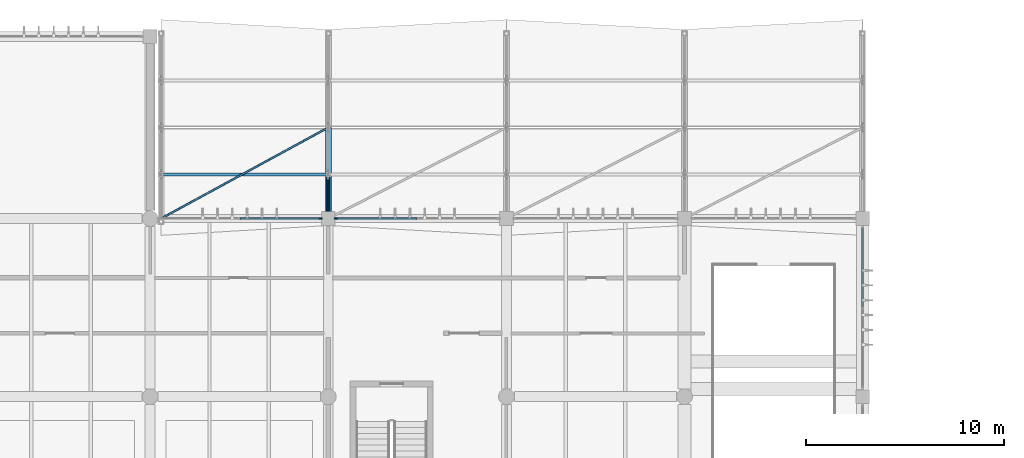
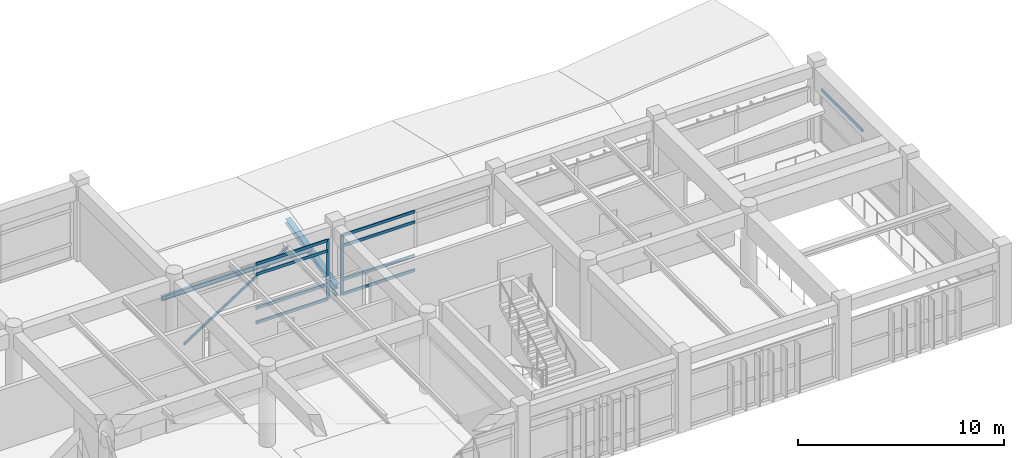
# One storey, part 18 of 90: 15 members, 3 elements without a shape of their own.
"""IFC4 building model written with IfcOpenShell, lengths in metres."""

from ifc_helpers import new_model, si_unit, direction, frame, origin, origin_2d, place, context, subcontext, project, spatial, rectangle, hollow_rectangle, hollow_circle, i_section, extrude, material, material_profile, profile_set, type_object, element, aggregate, save


model = new_model("IFC4")

# Units and contexts
model_context = context("Model", 3, precision=1e-05, world=origin(), true_north=direction((0.0, 1.0)))
body_context = subcontext(model_context, "Body", "Model", "MODEL_VIEW")
ifc_project = project(units=[si_unit("LENGTHUNIT", "METRE"), si_unit("AREAUNIT", "SQUARE_METRE"), si_unit("VOLUMEUNIT", "CUBIC_METRE"), si_unit("PLANEANGLEUNIT", "RADIAN"), si_unit("MASSUNIT", "GRAM", prefix="KILO")], contexts=[model_context])

# Site, building, storey
site_placement = place(None, origin())
site = spatial("IfcSite", under=ifc_project, at=site_placement, CompositionType="ELEMENT")
building_placement = place(site_placement, origin())
building = spatial("IfcBuilding", under=site, at=building_placement, Name="Bozkorgan Art Gallery", CompositionType="ELEMENT")
storey_placement = place(building_placement, frame((0.0, 0.0, 5.39990234375)))
storey = spatial("IfcBuildingStorey", under=building, at=storey_placement, Name="L01", CompositionType="ELEMENT", Elevation=5.39990234375)

# Curtain wall, member
ifc_material_1 = material(Name="Anodised Bronze Aluminium", Category="aluminium")
curtain_wall_type_1 = type_object("IfcCurtainWallType", Name="CW-CW-40", PredefinedType="NOTDEFINED", material=ifc_material_1)
curtain_wall_1_placement = place(storey_placement, origin())
curtain_wall_1 = element("IfcCurtainWall", 1, at=curtain_wall_1_placement, inside=storey, type_object=curtain_wall_type_1, Name="L01 unitised curtain wall CW-V1-L01-1N-05", PredefinedType="NOTDEFINED")
ifc_material_profile_1 = material_profile(ifc_material_1, rectangle(XDim=0.06494140625, YDim=0.179931640625, at=origin_2d()), Name="ALU MULLION 65x180")
ifc_profile_set_1 = profile_set([ifc_material_profile_1], Name="Anodised Bronze Aluminium")
member_type_1 = type_object("IfcMemberType", Name="CWM-01", PredefinedType="MULLION", material=ifc_profile_set_1)
member_1_placement = place(storey_placement, frame((37.6025390625, 20.0, 0.02001953125), z_axis=(0.0, 0.0, 1.0), x_axis=(0.0, 1.0, 0.0)))
member_1 = element("IfcMember", 2, at=member_1_placement, type_object=member_type_1, Name="CW-40 mullion 3", PredefinedType="MULLION", context=body_context, shape_type="SweptSolid", body=[
    extrude(rectangle(XDim=0.06494140625, YDim=0.179931640625, at=origin_2d()), origin(), (0.0, 0.0, 1.0), 3.55517578125),
])

curtain_wall_type_2 = type_object("IfcCurtainWallType", Name="CW-CW-42", PredefinedType="NOTDEFINED", material=ifc_material_1)
curtain_wall_2_placement = place(storey_placement, origin())
curtain_wall_2 = element("IfcCurtainWall", 3, at=curtain_wall_2_placement, inside=storey, type_object=curtain_wall_type_2, Name="L01 unitised curtain wall CW-V1-L01-1N-07", PredefinedType="NOTDEFINED")
member_2_placement = place(storey_placement, frame((38.3974609375, 20.0, 0.02001953125), z_axis=(0.0, 0.0, 1.0), x_axis=(0.0, 1.0, 0.0)))
member_2 = element("IfcMember", 4, at=member_2_placement, type_object=member_type_1, Name="CW-42 mullion 1", PredefinedType="MULLION", context=body_context, shape_type="SweptSolid", body=[
    extrude(rectangle(XDim=0.06494140625, YDim=0.179931640625, at=origin_2d()), origin(), (0.0, 0.0, 1.0), 3.55517578125),
])

# Member
ifc_material_profile_2 = material_profile(ifc_material_1, rectangle(XDim=0.074951171875, YDim=0.169921875, at=origin_2d()), Name="ALU TRANSOM 75x170")
ifc_profile_set_2 = profile_set([ifc_material_profile_2], Name="Anodised Bronze Aluminium")
member_type_2 = type_object("IfcMemberType", Name="CWT-02", PredefinedType="USERDEFINED", material=ifc_profile_set_2)
member_3_placement = place(storey_placement, frame((33.5576171875, 20.0, 0.0576171875), z_axis=(1.0, 0.0, 0.0), x_axis=(0.0, 1.0, 0.0)))
member_3 = element("IfcMember", 5, at=member_3_placement, type_object=member_type_2, Name="CW-40 transom 2.1", ObjectType="TRANSOM", PredefinedType="USERDEFINED", context=body_context, shape_type="SweptSolid", body=[
    extrude(rectangle(XDim=0.074951171875, YDim=0.169921875, at=origin_2d()), origin(), (0.0, 0.0, 1.0), 4.012451171875),
])

member_4_placement = place(storey_placement, frame((33.5576171875, 20.0, 0.920166015625), z_axis=(1.0, 0.0, 0.0), x_axis=(0.0, 1.0, 0.0)))
member_4 = element("IfcMember", 6, at=member_4_placement, type_object=member_type_2, Name="CW-40 transom 2.2", ObjectType="TRANSOM", PredefinedType="USERDEFINED", context=body_context, shape_type="SweptSolid", body=[
    extrude(rectangle(XDim=0.074951171875, YDim=0.169921875, at=origin_2d()), origin(), (0.0, 0.0, 1.0), 4.012451171875),
])

member_5_placement = place(storey_placement, frame((33.5576171875, 20.0, 2.925048828125), z_axis=(1.0, 0.0, 0.0), x_axis=(0.0, 1.0, 0.0)))
member_5 = element("IfcMember", 7, at=member_5_placement, type_object=member_type_2, Name="CW-40 transom 2.3", ObjectType="TRANSOM", PredefinedType="USERDEFINED", context=body_context, shape_type="SweptSolid", body=[
    extrude(rectangle(XDim=0.074951171875, YDim=0.169921875, at=origin_2d()), origin(), (0.0, 0.0, 1.0), 4.012451171875),
])

member_6_placement = place(storey_placement, frame((33.5576171875, 20.0, 3.53759765625), z_axis=(1.0, 0.0, 0.0), x_axis=(0.0, 1.0, 0.0)))
member_6 = element("IfcMember", 8, at=member_6_placement, type_object=member_type_2, Name="CW-40 transom 2.4", ObjectType="TRANSOM", PredefinedType="USERDEFINED", context=body_context, shape_type="SweptSolid", body=[
    extrude(rectangle(XDim=0.074951171875, YDim=0.169921875, at=origin_2d()), origin(), (0.0, 0.0, 1.0), 4.012451171875),
])

aggregate(curtain_wall_1, [member_1, member_3, member_4, member_5, member_6])

member_7_placement = place(storey_placement, frame((38.429931640625, 20.0, 0.0576171875), z_axis=(1.0, 0.0, 0.0), x_axis=(0.0, 1.0, 0.0)))
member_7 = element("IfcMember", 9, at=member_7_placement, type_object=member_type_2, Name="CW-42 transom 1.1", ObjectType="TRANSOM", PredefinedType="USERDEFINED", context=body_context, shape_type="SweptSolid", body=[
    extrude(rectangle(XDim=0.074951171875, YDim=0.169921875, at=origin_2d()), origin(), (0.0, 0.0, 1.0), 4.03759765625),
])

member_8_placement = place(storey_placement, frame((38.429931640625, 20.0, 0.920166015625), z_axis=(1.0, 0.0, 0.0), x_axis=(0.0, 1.0, 0.0)))
member_8 = element("IfcMember", 10, at=member_8_placement, type_object=member_type_2, Name="CW-42 transom 1.2", ObjectType="TRANSOM", PredefinedType="USERDEFINED", context=body_context, shape_type="SweptSolid", body=[
    extrude(rectangle(XDim=0.074951171875, YDim=0.169921875, at=origin_2d()), origin(), (0.0, 0.0, 1.0), 4.03759765625),
])

member_9_placement = place(storey_placement, frame((38.429931640625, 20.0, 2.925048828125), z_axis=(1.0, 0.0, 0.0), x_axis=(0.0, 1.0, 0.0)))
member_9 = element("IfcMember", 11, at=member_9_placement, type_object=member_type_2, Name="CW-42 transom 1.3", ObjectType="TRANSOM", PredefinedType="USERDEFINED", context=body_context, shape_type="SweptSolid", body=[
    extrude(rectangle(XDim=0.074951171875, YDim=0.169921875, at=origin_2d()), origin(), (0.0, 0.0, 1.0), 4.03759765625),
])

member_10_placement = place(storey_placement, frame((38.429931640625, 20.0, 3.53759765625), z_axis=(1.0, 0.0, 0.0), x_axis=(0.0, 1.0, 0.0)))
member_10 = element("IfcMember", 12, at=member_10_placement, type_object=member_type_2, Name="CW-42 transom 1.4", ObjectType="TRANSOM", PredefinedType="USERDEFINED", context=body_context, shape_type="SweptSolid", body=[
    extrude(rectangle(XDim=0.074951171875, YDim=0.169921875, at=origin_2d()), origin(), (0.0, 0.0, 1.0), 4.03759765625),
])

aggregate(curtain_wall_2, [member_2, member_7, member_8, member_9, member_10])

# Curtain wall, member
curtain_wall_type_3 = type_object("IfcCurtainWallType", Name="CW-CW-73", PredefinedType="NOTDEFINED", material=ifc_material_1)
curtain_wall_3_placement = place(storey_placement, origin())
curtain_wall_3 = element("IfcCurtainWall", 13, at=curtain_wall_3_placement, inside=storey, type_object=curtain_wall_type_3, Name="L01 unitised curtain wall CW-V1-L01-1E-15", PredefinedType="NOTDEFINED")
member_11_placement = place(storey_placement, frame((65.0, 15.532470703125, 3.1376953125), z_axis=(0.0, 1.0, 0.0), x_axis=(-1.0, 0.0, 0.0)))
member_11 = element("IfcMember", 14, at=member_11_placement, type_object=member_type_2, Name="CW-73 transom 2.3", ObjectType="TRANSOM", PredefinedType="USERDEFINED", context=body_context, shape_type="SweptSolid", body=[
    extrude(rectangle(XDim=0.074951171875, YDim=0.169921875, at=origin_2d()), origin(), (0.0, 0.0, 1.0), 3.987548828125),
])
aggregate(curtain_wall_3, [member_11])

# Members
ifc_material_2 = material(Name="Steel S355J2", Category="steel")
ifc_material_profile_3 = material_profile(ifc_material_2, i_section(OverallWidth=0.135009765625, OverallDepth=0.27001953125, WebThickness=0.006591796875, FlangeThickness=0.01025390625, FilletRadius=0.014892578125, at=origin_2d()), Name="IPE 270")
ifc_profile_set_3 = profile_set([ifc_material_profile_3], Name="Steel S355J2")
member_type_3 = type_object("IfcMemberType", Name="MEMBER-PR-57", PredefinedType="PURLIN", material=ifc_profile_set_3)
member_12_placement = place(storey_placement, frame((29.550048828125, 22.22509765625, 1.5517578125), z_axis=(1.0, 0.0, 0.0), x_axis=(0.0, 1.0, 0.0)))
element("IfcMember", 15, at=member_12_placement, inside=storey, type_object=member_type_3, Name="ROOF-V1-STEP1 roof purlin 1S", PredefinedType="PURLIN", context=body_context, shape_type="SweptSolid", body=[
    extrude(i_section(OverallWidth=0.135009765625, OverallDepth=0.27001953125, WebThickness=0.006591796875, FlangeThickness=0.01025390625, FilletRadius=0.014892578125, at=origin_2d()), origin(), (0.0, 0.0, 1.0), 8.449951171875),
])
ifc_material_profile_4 = material_profile(ifc_material_2, i_section(OverallWidth=0.300048828125, OverallDepth=0.31005859375, WebThickness=0.009033203125, FlangeThickness=0.015380859375, FilletRadius=0.027099609375, at=origin_2d()), Name="HEA 320")
ifc_profile_set_4 = profile_set([ifc_material_profile_4], Name="Steel S355J2")
member_type_4 = type_object("IfcMemberType", Name="MEMBER-TC-13", PredefinedType="CHORD", material=ifc_profile_set_4)
member_13_placement = place(storey_placement, frame((38.0, 19.85009765625, 0.71337890625), z_axis=(0.0, 0.974367556786, 0.224961917408), x_axis=(-1.0, 0.0, 0.0)))
element("IfcMember", 16, at=member_13_placement, inside=storey, type_object=member_type_4, Name="ROOF-V1-STEP1 roof truss 2 south top chord", PredefinedType="CHORD", context=body_context, shape_type="SweptSolid", body=[
    extrude(i_section(OverallWidth=0.300048828125, OverallDepth=0.31005859375, WebThickness=0.009033203125, FlangeThickness=0.015380859375, FilletRadius=0.027099609375, at=origin_2d()), origin(), (0.0, 0.0, 1.0), 4.875),
])
ifc_material_profile_5 = material_profile(ifc_material_2, hollow_circle(Radius=0.084228515625, WallThickness=0.008056640625, at=origin_2d()), Name="CHS 168.3x8")
ifc_profile_set_5 = profile_set([ifc_material_profile_5], Name="Steel S355J2")
member_type_5 = type_object("IfcMemberType", Name="MEMBER-TW-40", PredefinedType="BRACE", material=ifc_profile_set_5)
member_14_placement = place(storey_placement, frame((38.0, 19.85009765625, 0.2001953125), z_axis=(0.0, 0.912958131658, 0.408053243878), x_axis=(-1.0, 0.0, 0.0)))
element("IfcMember", 17, at=member_14_placement, inside=storey, type_object=member_type_5, Name="ROOF-V1-STEP1 roof truss 2 diagonal 1", PredefinedType="BRACE", context=body_context, shape_type="SweptSolid", body=[
    extrude(hollow_circle(Radius=0.084228515625, WallThickness=0.008056640625, at=origin_2d()), origin(), (0.0, 0.0, 1.0), 2.601318359375),
])
ifc_material_profile_6 = material_profile(ifc_material_2, hollow_rectangle(XDim=0.10009765625, YDim=0.14990234375, WallThickness=0.008056640625, InnerFilletRadius=0.011962890625, OuterFilletRadius=0.02001953125, at=origin_2d()), Name="RHS 150x100x8")
ifc_profile_set_6 = profile_set([ifc_material_profile_6], Name="Steel S355J2")
member_type_6 = type_object("IfcMemberType", Name="MEMBER-WB-10", PredefinedType="BRACE", material=ifc_profile_set_6)
member_15_placement = place(storey_placement, frame((29.550048828125, 20.0, 0.2001953125), z_axis=(0.878287070835, 0.478133685495, 0.0), x_axis=(-0.478133685495, 0.878287070835, 0.0)))
element("IfcMember", 18, at=member_15_placement, inside=storey, type_object=member_type_6, Name="ROOF-V1-STEP1 roof diaphragm wind brace 1", PredefinedType="BRACE", context=body_context, shape_type="SweptSolid", body=[
    extrude(hollow_rectangle(XDim=0.10009765625, YDim=0.14990234375, WallThickness=0.008056640625, InnerFilletRadius=0.011962890625, OuterFilletRadius=0.02001953125, at=origin_2d()), origin(), (0.0, 0.0, 1.0), 9.620849609375),
])

save(model, "model.ifc")
